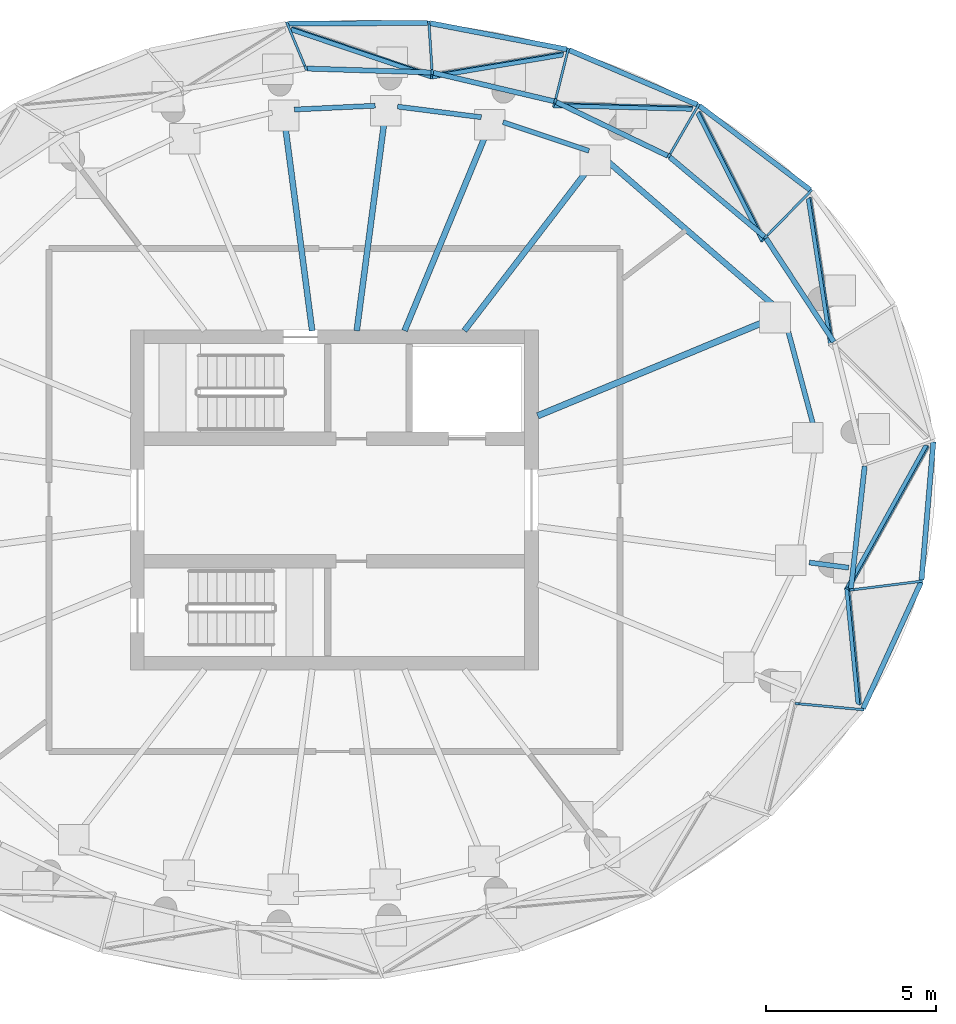
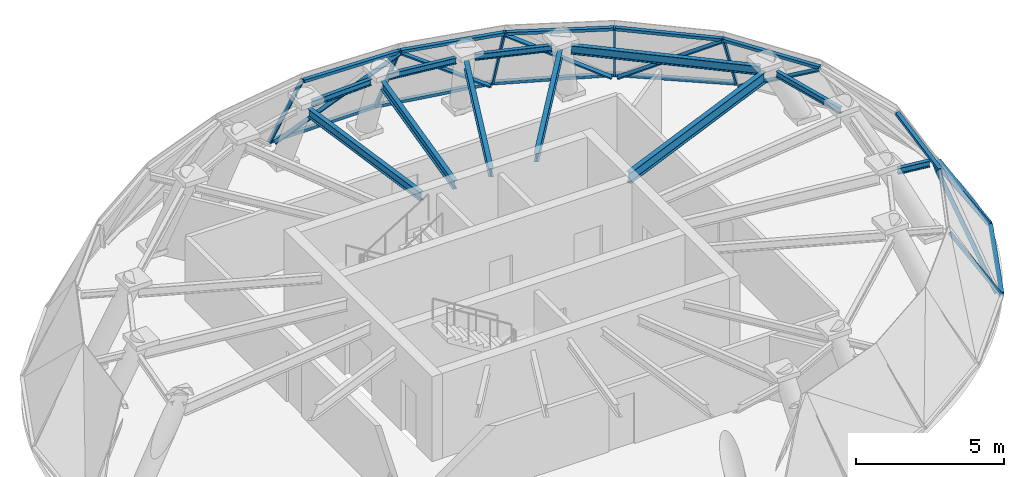
# One storey, part 4 of 9: 26 members, 11 beams, 14 elements without a shape of their own.
"""IFC4 building model written with IfcOpenShell, lengths in metres."""

from ifc_helpers import new_model, si_unit, direction, frame, origin, origin_2d, place, context, subcontext, project, spatial, rectangle, i_section, extrude, source, transform, mapped, material, layer, layer_set, material_profile, profile_set, type_object, element, aggregate, save


model = new_model("IFC4")

# Units and contexts
model_context = context("Model", 3, precision=1e-05, world=origin(), true_north=direction((0.0, 1.0)))
body_context = subcontext(model_context, "Body", "Model", "MODEL_VIEW")
ifc_project = project(units=[si_unit("LENGTHUNIT", "METRE"), si_unit("AREAUNIT", "SQUARE_METRE"), si_unit("VOLUMEUNIT", "CUBIC_METRE"), si_unit("PLANEANGLEUNIT", "RADIAN"), si_unit("MASSUNIT", "GRAM", prefix="KILO")], contexts=[model_context])

# Site, building, storey
site_placement = place(None, origin())
site = spatial("IfcSite", under=ifc_project, at=site_placement, CompositionType="ELEMENT")
building_placement = place(site_placement, origin())
building = spatial("IfcBuilding", under=site, at=building_placement, Name="Spindrift Exchange Tower", CompositionType="ELEMENT")
storey_placement = place(building_placement, frame((0.0, 0.0, 276.60009765625)))
storey = spatial("IfcBuildingStorey", under=building, at=storey_placement, Name="L68", CompositionType="ELEMENT", Elevation=276.60009765625)

# Beams
ifc_material_1 = material(Name="Steel Grade 300", Category="steel")
ifc_material_profile_1 = material_profile(ifc_material_1, i_section(OverallWidth=0.18994140625, OverallDepth=0.45703125, WebThickness=0.009033203125, FlangeThickness=0.014404296875, FilletRadius=0.013916015625, at=origin_2d()), Name="460UB74.6")
ifc_profile_set_1 = profile_set([ifc_material_profile_1], Name="Steel Grade 300")
beam_type_1 = type_object("IfcBeamType", Name="Floor Beam 460UB74.6 Steel Grade 300", PredefinedType="BEAM", material=ifc_profile_set_1)
shared_shape_1 = source(origin(), body_context, "Body", "SweptSolid", [
    extrude(i_section(OverallWidth=0.18994140625, OverallDepth=0.45703125, WebThickness=0.009033203125, FlangeThickness=0.014404296875, FilletRadius=0.013916015625, at=origin_2d()), origin(), (0.0, 0.0, 1.0), 7.5029296875),
])
beam_1_placement = place(storey_placement, frame((57.9814453125, 50.4775390625, 2.991455078125), z_axis=(0.923876836775, 0.382689940384, 0.0), x_axis=(-0.382689940384, 0.923876836775, 0.0)))
element("IfcBeam", 1, at=beam_1_placement, inside=storey, type_object=beam_type_1, Name="L68 radial beam R02A", PredefinedType="BEAM", context=body_context, shape_type="MappedRepresentation", body=[
    mapped(shared_shape_1, transform((0.0, 0.0, 0.0), scale=1.0)),
])
ifc_material_profile_2 = material_profile(ifc_material_1, i_section(OverallWidth=0.172119140625, OverallDepth=0.35888671875, WebThickness=0.008056640625, FlangeThickness=0.012939453125, FilletRadius=0.013916015625, at=origin_2d()), Name="360UB56.7")
ifc_profile_set_2 = profile_set([ifc_material_profile_2], Name="Steel Grade 300")
beam_type_2 = type_object("IfcBeamType", Name="Floor Beam 360UB56.7 Steel Grade 300", PredefinedType="BEAM", material=ifc_profile_set_2)
shared_shape_2 = source(origin(), body_context, "Body", "SweptSolid", [
    extrude(i_section(OverallWidth=0.172119140625, OverallDepth=0.35888671875, WebThickness=0.008056640625, FlangeThickness=0.012939453125, FilletRadius=0.013916015625, at=origin_2d()), origin(), (0.0, 0.0, 1.0), 6.207763671875),
])
beam_2_placement = place(storey_placement, frame((55.824462890625, 52.984130859375, 3.040283203125), z_axis=(0.608754316666, 0.793358797733, 0.0), x_axis=(-0.793358797733, 0.608754316666, 0.0)))
element("IfcBeam", 2, at=beam_2_placement, inside=storey, type_object=beam_type_2, Name="L68 radial beam R04A", PredefinedType="BEAM", context=body_context, shape_type="MappedRepresentation", body=[
    mapped(shared_shape_2, transform((0.0, 0.0, 0.0), scale=1.0)),
])
shared_shape_3 = source(origin(), body_context, "Body", "SweptSolid", [
    extrude(i_section(OverallWidth=0.172119140625, OverallDepth=0.35888671875, WebThickness=0.008056640625, FlangeThickness=0.012939453125, FilletRadius=0.013916015625, at=origin_2d()), origin(), (0.0, 0.0, 1.0), 6.425537109375),
])
beam_3_placement = place(storey_placement, frame((54.0634765625, 52.9814453125, 3.040283203125), z_axis=(0.382682881608, 0.923879760642, 0.0), x_axis=(-0.923879760642, 0.382682881608, 0.0)))
element("IfcBeam", 3, at=beam_3_placement, inside=storey, type_object=beam_type_2, Name="L68 radial beam R05A", PredefinedType="BEAM", context=body_context, shape_type="MappedRepresentation", body=[
    mapped(shared_shape_3, transform((0.0, 0.0, 0.0), scale=1.0)),
])
shared_shape_4 = source(origin(), body_context, "Body", "SweptSolid", [
    extrude(i_section(OverallWidth=0.172119140625, OverallDepth=0.35888671875, WebThickness=0.008056640625, FlangeThickness=0.012939453125, FilletRadius=0.013916015625, at=origin_2d()), origin(), (0.0, 0.0, 1.0), 6.36669921875),
])
beam_4_placement = place(storey_placement, frame((52.65576171875, 52.980224609375, 3.040283203125), z_axis=(0.130530891591, 0.991444242679, 0.0), x_axis=(-0.991444242679, 0.130530891591, 0.0)))
element("IfcBeam", 4, at=beam_4_placement, inside=storey, type_object=beam_type_2, Name="L68 radial beam R06A", PredefinedType="BEAM", context=body_context, shape_type="MappedRepresentation", body=[
    mapped(shared_shape_4, transform((0.0, 0.0, 0.0), scale=1.0)),
])
shared_shape_5 = source(origin(), body_context, "Body", "SweptSolid", [
    extrude(i_section(OverallWidth=0.172119140625, OverallDepth=0.35888671875, WebThickness=0.008056640625, FlangeThickness=0.012939453125, FilletRadius=0.013916015625, at=origin_2d()), origin(), (0.0, 0.0, 1.0), 6.221435546875),
])
beam_5_placement = place(storey_placement, frame((51.34423828125, 52.980224609375, 3.040283203125), z_axis=(-0.130518463995, 0.991445878783, 0.0), x_axis=(-0.991445878783, -0.130518463995, 0.0)))
element("IfcBeam", 5, at=beam_5_placement, inside=storey, type_object=beam_type_2, Name="L68 radial beam R07A", PredefinedType="BEAM", context=body_context, shape_type="MappedRepresentation", body=[
    mapped(shared_shape_5, transform((0.0, 0.0, 0.0), scale=1.0)),
])
ifc_material_profile_3 = material_profile(ifc_material_1, i_section(OverallWidth=0.14599609375, OverallDepth=0.251953125, WebThickness=0.006103515625, FlangeThickness=0.008544921875, FilletRadius=0.011962890625, at=origin_2d()), Name="250UB31.4")
ifc_profile_set_3 = profile_set([ifc_material_profile_3], Name="Steel Grade 300")
beam_type_3 = type_object("IfcBeamType", Name="Cantilever Beam 250UB31.4 Steel Grade 300", PredefinedType="BEAM", material=ifc_profile_set_3)
shared_shape_6 = source(origin(), body_context, "Body", "SweptSolid", [
    extrude(i_section(OverallWidth=0.14599609375, OverallDepth=0.251953125, WebThickness=0.006103515625, FlangeThickness=0.008544921875, FilletRadius=0.011962890625, at=origin_2d()), origin(), (0.0, 0.0, 1.0), 1.16748046875),
])
beam_6_placement = place(storey_placement, frame((65.974365234375, 46.16015625, 3.093994140625), z_axis=(0.991449312325, -0.130492379433, 0.0), x_axis=(0.130492379433, 0.991449312325, 0.0)))
element("IfcBeam", 6, at=beam_6_placement, inside=storey, type_object=beam_type_3, Name="L68 cantilever beam R24T", PredefinedType="BEAM", context=body_context, shape_type="MappedRepresentation", body=[
    mapped(shared_shape_6, transform((0.0, 0.0, 0.0), scale=1.0)),
])
ifc_material_profile_4 = material_profile(ifc_material_1, i_section(OverallWidth=0.14599609375, OverallDepth=0.251953125, WebThickness=0.006103515625, FlangeThickness=0.008544921875, FilletRadius=0.011962890625, at=origin_2d()), Name="250UB31.4")
ifc_profile_set_4 = profile_set([ifc_material_profile_4], Name="Steel Grade 300")
beam_type_4 = type_object("IfcBeamType", Name="Edge Beam 250UB31.4 Steel Grade 300", PredefinedType="SPANDREL", material=ifc_profile_set_4)
shared_shape_7 = source(origin(), body_context, "Body", "SweptSolid", [
    extrude(i_section(OverallWidth=0.14599609375, OverallDepth=0.251953125, WebThickness=0.006103515625, FlangeThickness=0.008544921875, FilletRadius=0.011962890625, at=origin_2d()), origin(), (0.0, 0.0, 1.0), 3.074462890625),
])
beam_7_placement = place(storey_placement, frame((66.097412109375, 50.18603515625, 3.093994140625), z_axis=(-0.258235926839, 0.96608188374, 0.0), x_axis=(-0.96608188374, -0.258235926839, 0.0)))
element("IfcBeam", 7, at=beam_7_placement, inside=storey, type_object=beam_type_4, Name="L68 edge beam E01", PredefinedType="SPANDREL", context=body_context, shape_type="MappedRepresentation", body=[
    mapped(shared_shape_7, transform((0.0, 0.0, 0.0), scale=1.0)),
])
ifc_material_profile_5 = material_profile(ifc_material_1, i_section(OverallWidth=0.172119140625, OverallDepth=0.35888671875, WebThickness=0.008056640625, FlangeThickness=0.012939453125, FilletRadius=0.013916015625, at=origin_2d()), Name="360UB56.7")
ifc_profile_set_5 = profile_set([ifc_material_profile_5], Name="Steel Grade 300")
beam_type_5 = type_object("IfcBeamType", Name="Edge Beam 360UB56.7 Steel Grade 300", PredefinedType="SPANDREL", material=ifc_profile_set_5)
shared_shape_8 = source(origin(), body_context, "Body", "SweptSolid", [
    extrude(i_section(OverallWidth=0.172119140625, OverallDepth=0.35888671875, WebThickness=0.008056640625, FlangeThickness=0.012939453125, FilletRadius=0.013916015625, at=origin_2d()), origin(), (0.0, 0.0, 1.0), 6.506591796875),
])
beam_8_placement = place(storey_placement, frame((64.968994140625, 53.69140625, 3.040283203125), z_axis=(-0.755421607244, 0.655239036771, 0.0), x_axis=(-0.655239036771, -0.755421607244, 0.0)))
element("IfcBeam", 8, at=beam_8_placement, inside=storey, type_object=beam_type_5, Name="L68 edge beam E02", PredefinedType="SPANDREL", context=body_context, shape_type="MappedRepresentation", body=[
    mapped(shared_shape_8, transform((0.0, 0.0, 0.0), scale=1.0)),
])
shared_shape_9 = source(origin(), body_context, "Body", "SweptSolid", [
    extrude(i_section(OverallWidth=0.14599609375, OverallDepth=0.251953125, WebThickness=0.006103515625, FlangeThickness=0.008544921875, FilletRadius=0.011962890625, at=origin_2d()), origin(), (0.0, 0.0, 1.0), 2.666748046875),
])
beam_9_placement = place(storey_placement, frame((59.491455078125, 58.275390625, 3.093994140625), z_axis=(-0.948683298051, 0.316227766017, 0.0), x_axis=(-0.316227766017, -0.948683298051, 0.0)))
element("IfcBeam", 9, at=beam_9_placement, inside=storey, type_object=beam_type_4, Name="L68 edge beam E04", PredefinedType="SPANDREL", context=body_context, shape_type="MappedRepresentation", body=[
    mapped(shared_shape_9, transform((0.0, 0.0, 0.0), scale=1.0)),
])
shared_shape_10 = source(origin(), body_context, "Body", "SweptSolid", [
    extrude(i_section(OverallWidth=0.14599609375, OverallDepth=0.251953125, WebThickness=0.006103515625, FlangeThickness=0.008544921875, FilletRadius=0.011962890625, at=origin_2d()), origin(), (0.0, 0.0, 1.0), 2.48388671875),
])
beam_10_placement = place(storey_placement, frame((56.3212890625, 59.2646484375, 3.093994140625), z_axis=(-0.992004848467, 0.126199764731, 0.0), x_axis=(-0.126199764731, -0.992004848467, 0.0)))
element("IfcBeam", 10, at=beam_10_placement, inside=storey, type_object=beam_type_4, Name="L68 edge beam E05", PredefinedType="SPANDREL", context=body_context, shape_type="MappedRepresentation", body=[
    mapped(shared_shape_10, transform((0.0, 0.0, 0.0), scale=1.0)),
])
shared_shape_11 = source(origin(), body_context, "Body", "SweptSolid", [
    extrude(i_section(OverallWidth=0.14599609375, OverallDepth=0.251953125, WebThickness=0.006103515625, FlangeThickness=0.008544921875, FilletRadius=0.011962890625, at=origin_2d()), origin(), (0.0, 0.0, 1.0), 2.384033203125),
])
beam_11_placement = place(storey_placement, frame((53.2001953125, 59.604248046875, 3.093994140625), z_axis=(-0.99887530871, -0.047414319042, 0.0), x_axis=(0.047414319042, -0.99887530871, 0.0)))
element("IfcBeam", 11, at=beam_11_placement, inside=storey, type_object=beam_type_4, Name="L68 edge beam E06", PredefinedType="SPANDREL", context=body_context, shape_type="MappedRepresentation", body=[
    mapped(shared_shape_11, transform((0.0, 0.0, 0.0), scale=1.0)),
])

# Curtain wall, member
ifc_material_2 = material(Name="Fritted laminated glass with bronze frame", Category="glass")
ifc_layer = layer(ifc_material_2, 0.14990234375)
ifc_layer_set = layer_set([ifc_layer], Name="CROWN BRONZE RAKED GLAZED WALL")
curtain_wall_type = type_object("IfcCurtainWallType", Name="CROWN BRONZE RAKED GLAZED WALL", PredefinedType="NOTDEFINED", material=ifc_layer_set)
curtain_wall_1_placement = place(storey_placement, origin())
curtain_wall_1 = element("IfcCurtainWall", 12, at=curtain_wall_1_placement, inside=storey, type_object=curtain_wall_type, Name="L68 Crown Bronze Raked Glazed Wall facet 47", PredefinedType="NOTDEFINED")
ifc_material_3 = material(Name="Bronze anodised aluminium", Category="aluminium")
ifc_material_profile_6 = material_profile(ifc_material_3, rectangle(XDim=0.14990234375, YDim=0.1201171875, at=origin_2d()), Name="CROWN BRONZE RAKED GLAZED WALL TRANSOM 150X120")
ifc_profile_set_6 = profile_set([ifc_material_profile_6], Name="Bronze anodised aluminium")
member_type_1 = type_object("IfcMemberType", Name="CROWN BRONZE RAKED GLAZED WALL TRANSOM 150X120", PredefinedType="USERDEFINED", material=ifc_profile_set_6)
shared_shape_12 = source(origin(), body_context, "Body", "SweptSolid", [
    extrude(rectangle(XDim=0.14990234375, YDim=0.1201171875, at=origin_2d()), origin(), (0.0, 0.0, 1.0), 4.083740234375),
])
member_1_placement = place(storey_placement, frame((69.626220703125, 49.713134765625, 0.059814453125), z_axis=(-0.085133222011, -0.99636957727, 0.0), x_axis=(0.99636957727, -0.085133222011, 0.0)))
member_1 = element("IfcMember", 13, at=member_1_placement, type_object=member_type_1, Name="L68 transom CW-R.24a", ObjectType="TRANSOM", PredefinedType="USERDEFINED", context=body_context, shape_type="MappedRepresentation", body=[
    mapped(shared_shape_12, transform((0.0, 0.0, 0.0), scale=1.0)),
])

curtain_wall_2_placement = place(storey_placement, origin())
curtain_wall_2 = element("IfcCurtainWall", 14, at=curtain_wall_2_placement, inside=storey, type_object=curtain_wall_type, Name="L68 Crown Bronze Raked Glazed Wall facet 45", PredefinedType="NOTDEFINED")
shared_shape_13 = source(origin(), body_context, "Body", "SweptSolid", [
    extrude(rectangle(XDim=0.14990234375, YDim=0.1201171875, at=origin_2d()), origin(), (0.0, 0.0, 1.0), 4.0888671875),
])
member_2_placement = place(storey_placement, frame((67.556396484375, 41.861083984375, 0.059814453125), z_axis=(0.416891135404, 0.90895642427, 0.0), x_axis=(-0.90895642427, 0.416891135404, 0.0)))
member_2 = element("IfcMember", 15, at=member_2_placement, type_object=member_type_1, Name="L68 transom CW-R.23a", ObjectType="TRANSOM", PredefinedType="USERDEFINED", context=body_context, shape_type="MappedRepresentation", body=[
    mapped(shared_shape_13, transform((0.0, 0.0, 0.0), scale=1.0)),
])

curtain_wall_3_placement = place(storey_placement, origin())
curtain_wall_3 = element("IfcCurtainWall", 16, at=curtain_wall_3_placement, inside=storey, type_object=curtain_wall_type, Name="L68 Crown Bronze Raked Glazed Wall facet 5", PredefinedType="NOTDEFINED")
shared_shape_14 = source(origin(), body_context, "Body", "SweptSolid", [
    extrude(rectangle(XDim=0.14990234375, YDim=0.1201171875, at=origin_2d()), origin(), (0.0, 0.0, 1.0), 4.09423828125),
])
member_3_placement = place(storey_placement, frame((62.737548828125, 59.59814453125, 0.059814453125), z_axis=(0.796718002417, -0.604351242759, 0.0), x_axis=(0.604351242759, 0.796718002417, 0.0)))
member_3 = element("IfcMember", 17, at=member_3_placement, type_object=member_type_1, Name="L68 transom CW-R.3a", ObjectType="TRANSOM", PredefinedType="USERDEFINED", context=body_context, shape_type="MappedRepresentation", body=[
    mapped(shared_shape_14, transform((0.0, 0.0, 0.0), scale=1.0)),
])

curtain_wall_4_placement = place(storey_placement, origin())
curtain_wall_4 = element("IfcCurtainWall", 18, at=curtain_wall_4_placement, inside=storey, type_object=curtain_wall_type, Name="L68 Crown Bronze Raked Glazed Wall facet 7", PredefinedType="NOTDEFINED")
shared_shape_15 = source(origin(), body_context, "Body", "SweptSolid", [
    extrude(rectangle(XDim=0.14990234375, YDim=0.1201171875, at=origin_2d()), origin(), (0.0, 0.0, 1.0), 4.097900390625),
])
member_4_placement = place(storey_placement, frame((62.677490234375, 59.633056640625, 0.059814453125), z_axis=(-0.91998419877, 0.391955449016, 0.0), x_axis=(-0.391955449016, -0.91998419877, 0.0)))
member_4 = element("IfcMember", 19, at=member_4_placement, type_object=member_type_1, Name="L68 transom CW-R.4a", ObjectType="TRANSOM", PredefinedType="USERDEFINED", context=body_context, shape_type="MappedRepresentation", body=[
    mapped(shared_shape_15, transform((0.0, 0.0, 0.0), scale=1.0)),
])

curtain_wall_5_placement = place(storey_placement, origin())
curtain_wall_5 = element("IfcCurtainWall", 20, at=curtain_wall_5_placement, inside=storey, type_object=curtain_wall_type, Name="L68 Crown Bronze Raked Glazed Wall facet 9", PredefinedType="NOTDEFINED")
shared_shape_16 = source(origin(), body_context, "Body", "SweptSolid", [
    extrude(rectangle(XDim=0.14990234375, YDim=0.1201171875, at=origin_2d()), origin(), (0.0, 0.0, 1.0), 4.099609375),
])
member_5_placement = place(storey_placement, frame((58.8408203125, 61.259521484375, 0.059814453125), z_axis=(-0.982054412804, 0.188597800337, 0.0), x_axis=(-0.188597800337, -0.982054412804, 0.0)))
member_5 = element("IfcMember", 21, at=member_5_placement, type_object=member_type_1, Name="L68 transom CW-R.5a", ObjectType="TRANSOM", PredefinedType="USERDEFINED", context=body_context, shape_type="MappedRepresentation", body=[
    mapped(shared_shape_16, transform((0.0, 0.0, 0.0), scale=1.0)),
])

curtain_wall_6_placement = place(storey_placement, origin())
curtain_wall_6 = element("IfcCurtainWall", 22, at=curtain_wall_6_placement, inside=storey, type_object=curtain_wall_type, Name="L68 Crown Bronze Raked Glazed Wall facet 11", PredefinedType="NOTDEFINED")
shared_shape_17 = source(origin(), body_context, "Body", "SweptSolid", [
    extrude(rectangle(XDim=0.14990234375, YDim=0.1201171875, at=origin_2d()), origin(), (0.0, 0.0, 1.0), 4.100341796875),
])
member_6_placement = place(storey_placement, frame((50.64501953125, 62.0205078125, 0.059814453125), z_axis=(0.999989490439, 0.004584649644, 0.0), x_axis=(-0.004584649644, 0.999989490439, 0.0)))
member_6 = element("IfcMember", 23, at=member_6_placement, type_object=member_type_1, Name="L68 transom CW-R.6a", ObjectType="TRANSOM", PredefinedType="USERDEFINED", context=body_context, shape_type="MappedRepresentation", body=[
    mapped(shared_shape_17, transform((0.0, 0.0, 0.0), scale=1.0)),
])

curtain_wall_7_placement = place(storey_placement, origin())
curtain_wall_7 = element("IfcCurtainWall", 24, at=curtain_wall_7_placement, inside=storey, type_object=curtain_wall_type, Name="L68 Crown Bronze Raked Glazed Wall facet 48", PredefinedType="NOTDEFINED")
shared_shape_18 = source(origin(), body_context, "Body", "SweptSolid", [
    extrude(rectangle(XDim=0.14990234375, YDim=0.1201171875, at=origin_2d()), origin(), (0.0, 0.0, 1.0), 3.63427734375),
])
member_7_placement = place(storey_placement, frame((67.605712890625, 48.997802734375, 3.159912109375), z_axis=(-0.111648000541, -0.993747817092, 0.0), x_axis=(0.993747817092, -0.111648000541, 0.0)))
member_7 = element("IfcMember", 25, at=member_7_placement, type_object=member_type_1, Name="L68 transom CW-R.24b", ObjectType="TRANSOM", PredefinedType="USERDEFINED", context=body_context, shape_type="MappedRepresentation", body=[
    mapped(shared_shape_18, transform((0.0, 0.0, 0.0), scale=1.0)),
])

# Curtain wall, members
curtain_wall_8_placement = place(storey_placement, origin())
curtain_wall_8 = element("IfcCurtainWall", 26, at=curtain_wall_8_placement, inside=storey, type_object=curtain_wall_type, Name="L68 Crown Bronze Raked Glazed Wall facet 4", PredefinedType="NOTDEFINED")
shared_shape_19 = source(origin(), body_context, "Body", "SweptSolid", [
    extrude(rectangle(XDim=0.14990234375, YDim=0.1201171875, at=origin_2d()), origin(), (0.0, 0.0, 1.0), 3.637939453125),
])
member_8_placement = place(storey_placement, frame((64.701904296875, 55.698974609375, 3.159912109375), z_axis=(0.548100736772, -0.836412327952, 0.0), x_axis=(0.836412327952, 0.548100736772, 0.0)))
member_8 = element("IfcMember", 27, at=member_8_placement, type_object=member_type_1, Name="L68 transom CW-R.2b", ObjectType="TRANSOM", PredefinedType="USERDEFINED", context=body_context, shape_type="MappedRepresentation", body=[
    mapped(shared_shape_19, transform((0.0, 0.0, 0.0), scale=1.0)),
])
ifc_material_profile_7 = material_profile(ifc_material_3, rectangle(XDim=0.070068359375, YDim=0.14990234375, at=origin_2d()), Name="CROWN BRONZE RAKED GLAZED WALL MULLION 70X150")
ifc_profile_set_7 = profile_set([ifc_material_profile_7], Name="Bronze anodised aluminium")
member_type_2 = type_object("IfcMemberType", Name="CROWN BRONZE RAKED GLAZED WALL MULLION 70X150", PredefinedType="MULLION", material=ifc_profile_set_7)
shared_shape_20 = source(origin(), body_context, "Body", "SweptSolid", [
    extrude(rectangle(XDim=0.070068359375, YDim=0.14990234375, at=origin_2d()), origin(), (0.0, 0.0, 1.0), 5.34521484375),
])
member_9_placement = place(storey_placement, frame((65.962646484375, 56.8681640625, 0.06103515625), z_axis=(0.123731847365, -0.805513052833, 0.579516308366), x_axis=(0.682468192286, -0.354877050855, -0.63898313381)))
member_9 = element("IfcMember", 28, at=member_9_placement, type_object=member_type_2, Name="L68 glazing bar CW-R.2", PredefinedType="MULLION", context=body_context, shape_type="MappedRepresentation", body=[
    mapped(shared_shape_20, transform((0.0, 0.0, 0.0), scale=1.0)),
])
aggregate(curtain_wall_8, [member_8, member_9])

# Curtain wall, member
curtain_wall_9_placement = place(storey_placement, origin())
curtain_wall_9 = element("IfcCurtainWall", 29, at=curtain_wall_9_placement, inside=storey, type_object=curtain_wall_type, Name="L68 Crown Bronze Raked Glazed Wall facet 6", PredefinedType="NOTDEFINED")
shared_shape_21 = source(origin(), body_context, "Body", "SweptSolid", [
    extrude(rectangle(XDim=0.14990234375, YDim=0.1201171875, at=origin_2d()), origin(), (0.0, 0.0, 1.0), 3.642333984375),
])
member_10_placement = place(storey_placement, frame((61.866455078125, 58.093017578125, 3.159912109375), z_axis=(0.765803889802, -0.643074181074, 0.0), x_axis=(0.643074181074, 0.765803889802, 0.0)))
member_10 = element("IfcMember", 30, at=member_10_placement, type_object=member_type_1, Name="L68 transom CW-R.3b", ObjectType="TRANSOM", PredefinedType="USERDEFINED", context=body_context, shape_type="MappedRepresentation", body=[
    mapped(shared_shape_21, transform((0.0, 0.0, 0.0), scale=1.0)),
])

# Member
shared_shape_22 = source(origin(), body_context, "Body", "SweptSolid", [
    extrude(rectangle(XDim=0.070068359375, YDim=0.14990234375, at=origin_2d()), origin(), (0.0, 0.0, 1.0), 3.660888671875),
])
member_11_placement = place(storey_placement, frame((66.01123046875, 57.086181640625, 0.038330078125), z_axis=(-0.35853046748, -0.366466688765, 0.858579099393), x_axis=(0.714804339325, -0.69932450013, 0.0)))
member_11 = element("IfcMember", 31, at=member_11_placement, type_object=member_type_2, Name="L68 mullion CW-R.3", PredefinedType="MULLION", context=body_context, shape_type="MappedRepresentation", body=[
    mapped(shared_shape_22, transform((0.0, 0.0, 0.0), scale=1.0)),
])

aggregate(curtain_wall_3, [member_3, member_11])

shared_shape_23 = source(origin(), body_context, "Body", "SweptSolid", [
    extrude(rectangle(XDim=0.070068359375, YDim=0.14990234375, at=origin_2d()), origin(), (0.0, 0.0, 1.0), 5.21923828125),
])
member_12_placement = place(storey_placement, frame((62.7119140625, 59.387939453125, 0.060302734375), z_axis=(0.363877454865, -0.717604323831, 0.593832663518), x_axis=(0.741865321515, -0.16222926252, -0.650628550799)))
member_12 = element("IfcMember", 32, at=member_12_placement, type_object=member_type_2, Name="L68 glazing bar CW-R.3", PredefinedType="MULLION", context=body_context, shape_type="MappedRepresentation", body=[
    mapped(shared_shape_23, transform((0.0, 0.0, 0.0), scale=1.0)),
])

aggregate(curtain_wall_9, [member_10, member_12])

# Curtain wall, members
curtain_wall_10_placement = place(storey_placement, origin())
curtain_wall_10 = element("IfcCurtainWall", 33, at=curtain_wall_10_placement, inside=storey, type_object=curtain_wall_type, Name="L68 Crown Bronze Raked Glazed Wall facet 8", PredefinedType="NOTDEFINED")
shared_shape_24 = source(origin(), body_context, "Body", "SweptSolid", [
    extrude(rectangle(XDim=0.14990234375, YDim=0.1201171875, at=origin_2d()), origin(), (0.0, 0.0, 1.0), 3.64501953125),
])
member_13_placement = place(storey_placement, frame((61.80810546875, 58.130615234375, 3.159912109375), z_axis=(-0.900673675407, 0.434496179993, 0.0), x_axis=(-0.434496179993, -0.900673675407, 0.0)))
member_13 = element("IfcMember", 34, at=member_13_placement, type_object=member_type_1, Name="L68 transom CW-R.4b", ObjectType="TRANSOM", PredefinedType="USERDEFINED", context=body_context, shape_type="MappedRepresentation", body=[
    mapped(shared_shape_24, transform((0.0, 0.0, 0.0), scale=1.0)),
])
shared_shape_25 = source(origin(), body_context, "Body", "SweptSolid", [
    extrude(rectangle(XDim=0.070068359375, YDim=0.14990234375, at=origin_2d()), origin(), (0.0, 0.0, 1.0), 3.578125),
])
member_14_placement = place(storey_placement, frame((62.7001953125, 59.602783203125, 0.035400390625), z_axis=(-0.237789965702, -0.41103206697, 0.88006168655), x_axis=(0.865586923059, -0.500758702998, 0.0)))
member_14 = element("IfcMember", 35, at=member_14_placement, type_object=member_type_2, Name="L68 mullion CW-R.4", PredefinedType="MULLION", context=body_context, shape_type="MappedRepresentation", body=[
    mapped(shared_shape_25, transform((0.0, 0.0, 0.0), scale=1.0)),
])
aggregate(curtain_wall_10, [member_13, member_14])

# Member
shared_shape_26 = source(origin(), body_context, "Body", "SweptSolid", [
    extrude(rectangle(XDim=0.070068359375, YDim=0.14990234375, at=origin_2d()), origin(), (0.0, 0.0, 1.0), 5.10986328125),
])
member_15_placement = place(storey_placement, frame((62.513671875, 59.5185546875, 0.0595703125), z_axis=(-0.794557120776, 0.020735886375, 0.60683523698), x_axis=(0.491673837279, -0.564455395032, 0.663058779261)))
member_15 = element("IfcMember", 36, at=member_15_placement, type_object=member_type_2, Name="L68 glazing bar CW-R.4", PredefinedType="MULLION", context=body_context, shape_type="MappedRepresentation", body=[
    mapped(shared_shape_26, transform((0.0, 0.0, 0.0), scale=1.0)),
])

aggregate(curtain_wall_4, [member_4, member_15])

# Curtain wall, members
curtain_wall_11_placement = place(storey_placement, origin())
curtain_wall_11 = element("IfcCurtainWall", 37, at=curtain_wall_11_placement, inside=storey, type_object=curtain_wall_type, Name="L68 Crown Bronze Raked Glazed Wall facet 10", PredefinedType="NOTDEFINED")
shared_shape_27 = source(origin(), body_context, "Body", "SweptSolid", [
    extrude(rectangle(XDim=0.14990234375, YDim=0.1201171875, at=origin_2d()), origin(), (0.0, 0.0, 1.0), 3.646728515625),
])
member_16_placement = place(storey_placement, frame((58.45947265625, 59.737548828125, 3.159912109375), z_axis=(-0.973326660601, 0.229423651274, 0.0), x_axis=(-0.229423651274, -0.973326660601, 0.0)))
member_16 = element("IfcMember", 38, at=member_16_placement, type_object=member_type_1, Name="L68 transom CW-R.5b", ObjectType="TRANSOM", PredefinedType="USERDEFINED", context=body_context, shape_type="MappedRepresentation", body=[
    mapped(shared_shape_27, transform((0.0, 0.0, 0.0), scale=1.0)),
])
shared_shape_28 = source(origin(), body_context, "Body", "SweptSolid", [
    extrude(rectangle(XDim=0.070068359375, YDim=0.14990234375, at=origin_2d()), origin(), (0.0, 0.0, 1.0), 3.509521484375),
])
member_17_placement = place(storey_placement, frame((58.871337890625, 61.2373046875, 0.03271484375), z_axis=(-0.106576661298, -0.425193573012, 0.898805785883), x_axis=(0.969992948605, -0.24313304929, 0.0)))
member_17 = element("IfcMember", 39, at=member_17_placement, type_object=member_type_2, Name="L68 mullion CW-R.5", PredefinedType="MULLION", context=body_context, shape_type="MappedRepresentation", body=[
    mapped(shared_shape_28, transform((0.0, 0.0, 0.0), scale=1.0)),
])
aggregate(curtain_wall_11, [member_16, member_17])

# Member
shared_shape_29 = source(origin(), body_context, "Body", "SweptSolid", [
    extrude(rectangle(XDim=0.070068359375, YDim=0.14990234375, at=origin_2d()), origin(), (0.0, 0.0, 1.0), 4.9892578125),
])
member_18_placement = place(storey_placement, frame((58.716064453125, 61.1162109375, 0.05859375), z_axis=(-0.772358398405, -0.129525638658, 0.621840504747), x_axis=(0.61036099692, -0.422366539901, 0.670123838862)))
member_18 = element("IfcMember", 40, at=member_18_placement, type_object=member_type_2, Name="L68 glazing bar CW-R.5", PredefinedType="MULLION", context=body_context, shape_type="MappedRepresentation", body=[
    mapped(shared_shape_29, transform((0.0, 0.0, 0.0), scale=1.0)),
])

aggregate(curtain_wall_5, [member_5, member_18])

# Curtain wall, member
curtain_wall_12_placement = place(storey_placement, origin())
curtain_wall_12 = element("IfcCurtainWall", 41, at=curtain_wall_12_placement, inside=storey, type_object=curtain_wall_type, Name="L68 Crown Bronze Raked Glazed Wall facet 12", PredefinedType="NOTDEFINED")
shared_shape_30 = source(origin(), body_context, "Body", "SweptSolid", [
    extrude(rectangle(XDim=0.14990234375, YDim=0.1201171875, at=origin_2d()), origin(), (0.0, 0.0, 1.0), 3.6474609375),
])
member_19_placement = place(storey_placement, frame((51.195068359375, 60.697265625, 3.159912109375), z_axis=(0.999511357517, -0.031257738161, 0.0), x_axis=(0.031257738161, 0.999511357517, 0.0)))
member_19 = element("IfcMember", 42, at=member_19_placement, type_object=member_type_1, Name="L68 transom CW-R.6b", ObjectType="TRANSOM", PredefinedType="USERDEFINED", context=body_context, shape_type="MappedRepresentation", body=[
    mapped(shared_shape_30, transform((0.0, 0.0, 0.0), scale=1.0)),
])

# Member
shared_shape_31 = source(origin(), body_context, "Body", "SweptSolid", [
    extrude(rectangle(XDim=0.070068359375, YDim=0.14990234375, at=origin_2d()), origin(), (0.0, 0.0, 1.0), 3.467529296875),
])
member_20_placement = place(storey_placement, frame((54.78125, 62.025390625, 0.031005859375), z_axis=(0.027036153711, -0.412160530794, 0.910710021493), x_axis=(0.997855489175, 0.065455501852, 0.0)))
member_20 = element("IfcMember", 43, at=member_20_placement, type_object=member_type_2, Name="L68 mullion CW-R.6", PredefinedType="MULLION", context=body_context, shape_type="MappedRepresentation", body=[
    mapped(shared_shape_31, transform((0.0, 0.0, 0.0), scale=1.0)),
])

aggregate(curtain_wall_6, [member_6, member_20])

shared_shape_32 = source(origin(), body_context, "Body", "SweptSolid", [
    extrude(rectangle(XDim=0.070068359375, YDim=0.14990234375, at=origin_2d()), origin(), (0.0, 0.0, 1.0), 5.3251953125),
])
member_21_placement = place(storey_placement, frame((50.750732421875, 61.854248046875, 0.060791015625), z_axis=(0.770715490468, -0.259854583307, 0.581784520495), x_axis=(0.636612868401, 0.275537971146, -0.720279724998)))
member_21 = element("IfcMember", 44, at=member_21_placement, type_object=member_type_2, Name="L68 glazing bar CW-R.6", PredefinedType="MULLION", context=body_context, shape_type="MappedRepresentation", body=[
    mapped(shared_shape_32, transform((0.0, 0.0, 0.0), scale=1.0)),
])

aggregate(curtain_wall_12, [member_19, member_21])

# Curtain wall, member
curtain_wall_13_placement = place(storey_placement, origin())
curtain_wall_13 = element("IfcCurtainWall", 45, at=curtain_wall_13_placement, inside=storey, type_object=curtain_wall_type, Name="L68 Crown Bronze Raked Glazed Wall facet 14", PredefinedType="NOTDEFINED")
shared_shape_33 = source(origin(), body_context, "Body", "SweptSolid", [
    extrude(rectangle(XDim=0.070068359375, YDim=0.14990234375, at=origin_2d()), origin(), (0.0, 0.0, 1.0), 3.457275390625),
])
member_22_placement = place(storey_placement, frame((50.614990234375, 62.0078125, 0.030517578125), z_axis=(0.156132928557, -0.37518509698, 0.913705998461), x_axis=(0.923246491563, 0.384208167296, 0.0)))
member_22 = element("IfcMember", 46, at=member_22_placement, type_object=member_type_2, Name="L68 mullion CW-R.7", PredefinedType="MULLION", context=body_context, shape_type="MappedRepresentation", body=[
    mapped(shared_shape_33, transform((0.0, 0.0, 0.0), scale=1.0)),
])
aggregate(curtain_wall_13, [member_22])

curtain_wall_14_placement = place(storey_placement, origin())
curtain_wall_14 = element("IfcCurtainWall", 47, at=curtain_wall_14_placement, inside=storey, type_object=curtain_wall_type, Name="L68 Crown Bronze Raked Glazed Wall facet 46", PredefinedType="NOTDEFINED")
shared_shape_34 = source(origin(), body_context, "Body", "SweptSolid", [
    extrude(rectangle(XDim=0.070068359375, YDim=0.14990234375, at=origin_2d()), origin(), (0.0, 0.0, 1.0), 3.678466796875),
])
member_23_placement = place(storey_placement, frame((67.51806640625, 41.831298828125, 0.038818359375), z_axis=(-0.517756480349, 0.047853149895, 0.854188681207), x_axis=(-0.092031806804, -0.995756067788, 0.0)))
member_23 = element("IfcMember", 48, at=member_23_placement, type_object=member_type_2, Name="L68 mullion CW-R.23", PredefinedType="MULLION", context=body_context, shape_type="MappedRepresentation", body=[
    mapped(shared_shape_34, transform((0.0, 0.0, 0.0), scale=1.0)),
])
aggregate(curtain_wall_14, [member_23])

# Member
shared_shape_35 = source(origin(), body_context, "Body", "SweptSolid", [
    extrude(rectangle(XDim=0.070068359375, YDim=0.14990234375, at=origin_2d()), origin(), (0.0, 0.0, 1.0), 4.619873046875),
])
member_24_placement = place(storey_placement, frame((67.427490234375, 42.001708984375, 0.055419921875), z_axis=(-0.072241299581, 0.736153111316, 0.672948580007), x_axis=(-0.59239846157, -0.574475947643, 0.564837541519)))
member_24 = element("IfcMember", 49, at=member_24_placement, type_object=member_type_2, Name="L68 glazing bar CW-R.23", PredefinedType="MULLION", context=body_context, shape_type="MappedRepresentation", body=[
    mapped(shared_shape_35, transform((0.0, 0.0, 0.0), scale=1.0)),
])

aggregate(curtain_wall_2, [member_2, member_24])

shared_shape_36 = source(origin(), body_context, "Body", "SweptSolid", [
    extrude(rectangle(XDim=0.070068359375, YDim=0.14990234375, at=origin_2d()), origin(), (0.0, 0.0, 1.0), 3.744140625),
])
member_25_placement = place(storey_placement, frame((69.2490234375, 45.606201171875, 0.040771484375), z_axis=(-0.541275521266, -0.067162243935, 0.838158721883), x_axis=(0.123137134607, -0.992389664437, 0.0)))
member_25 = element("IfcMember", 50, at=member_25_placement, type_object=member_type_2, Name="L68 mullion CW-R.24", PredefinedType="MULLION", context=body_context, shape_type="MappedRepresentation", body=[
    mapped(shared_shape_36, transform((0.0, 0.0, 0.0), scale=1.0)),
])

aggregate(curtain_wall_1, [member_1, member_25])

shared_shape_37 = source(origin(), body_context, "Body", "SweptSolid", [
    extrude(rectangle(XDim=0.070068359375, YDim=0.14990234375, at=origin_2d()), origin(), (0.0, 0.0, 1.0), 5.73388671875),
])
member_26_placement = place(storey_placement, frame((69.42431640625, 49.5869140625, 0.06298828125), z_axis=(-0.40769241705, -0.736656554296, 0.539559092309), x_axis=(0.317716709775, -0.668415321099, -0.672515465139)))
member_26 = element("IfcMember", 51, at=member_26_placement, type_object=member_type_2, Name="L68 glazing bar CW-R.24", PredefinedType="MULLION", context=body_context, shape_type="MappedRepresentation", body=[
    mapped(shared_shape_37, transform((0.0, 0.0, 0.0), scale=1.0)),
])

aggregate(curtain_wall_7, [member_7, member_26])

save(model, "model.ifc")
